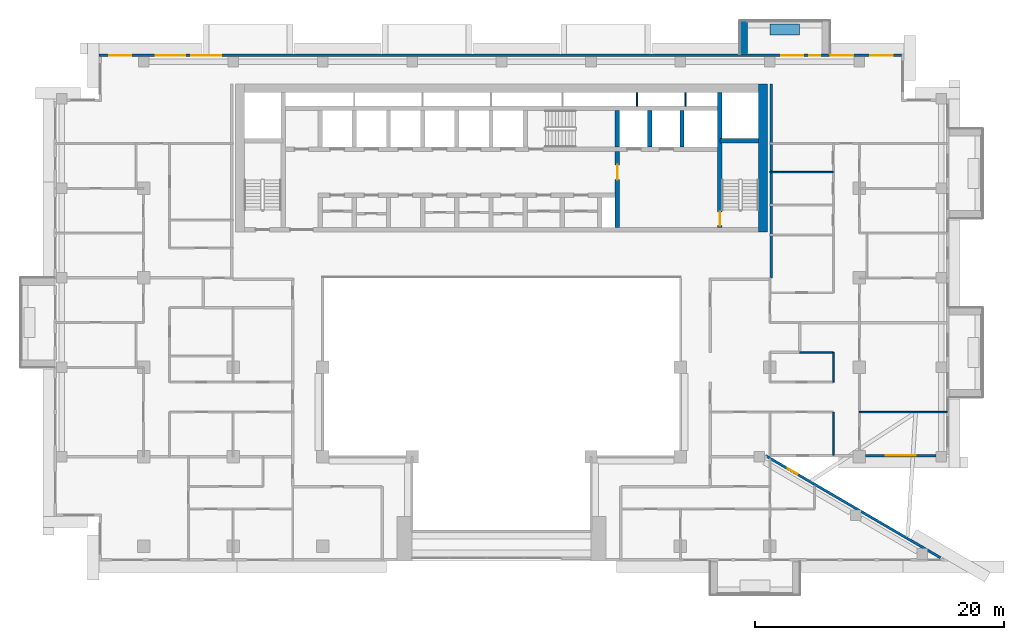
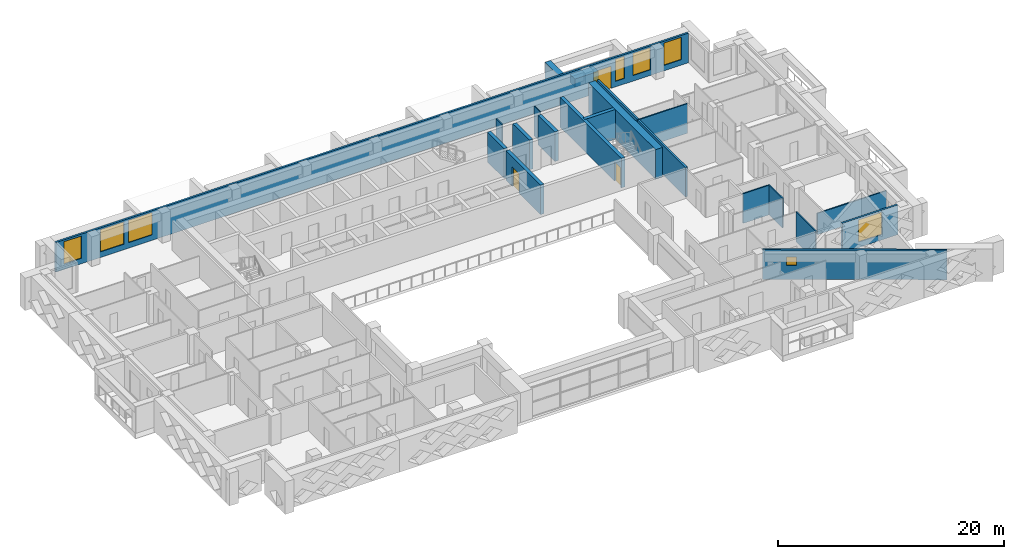
# One storey, part 11 of 20: 20 walls, 8 windows, 3 doors, 11 openings.
"""IFC4 building model written with IfcOpenShell, lengths in metres."""

from ifc_helpers import new_model, si_unit, direction, frame, frame_2d, origin, place, context, subcontext, project, spatial, rectangle, extrude, material, layer, layer_set, type_object, element, fill, save


model = new_model("IFC4")

# Units and contexts
model_context = context("Model", 3, precision=1e-05, world=origin(), true_north=direction((0.0, 1.0)))
body_context = subcontext(model_context, "Body", "Model", "MODEL_VIEW")
ifc_project = project(units=[si_unit("LENGTHUNIT", "METRE"), si_unit("AREAUNIT", "SQUARE_METRE"), si_unit("VOLUMEUNIT", "CUBIC_METRE"), si_unit("PLANEANGLEUNIT", "RADIAN"), si_unit("MASSUNIT", "GRAM", prefix="KILO")], contexts=[model_context])

# Site, building, storey
site_placement = place(None, origin())
site = spatial("IfcSite", under=ifc_project, at=site_placement, CompositionType="ELEMENT")
building_placement = place(site_placement, origin())
building = spatial("IfcBuilding", under=site, at=building_placement, Name="Saffron Iwan Residences", CompositionType="ELEMENT")
storey_placement = place(building_placement, frame((0.0, 0.0, 143.0)))
storey = spatial("IfcBuildingStorey", under=building, at=storey_placement, Name="L37", CompositionType="ELEMENT", Elevation=143.0)

# Walls
ifc_material_1 = material(Name="Concrete C50/60 white painted", Category="concrete")
ifc_layer_1 = layer(ifc_material_1, 0.60009765625)
ifc_layer_set_1 = layer_set([ifc_layer_1], Name="Concrete C50/60 white painted")
wall_type_1 = type_object("IfcWallType", Name="BALCONY FIN 600", PredefinedType="SOLIDWALL", material=ifc_layer_set_1)
wall_1_placement = place(storey_placement, frame((69.89990234375, 80.449951171875, 0.0), z_axis=(0.0, 0.0, 1.0), x_axis=(0.0, 1.0, 0.0)))
element("IfcWall", 1, at=wall_1_placement, inside=storey, type_object=wall_type_1, Name="Balcony fin L37 F5-0b", PredefinedType="SOLIDWALL", context=body_context, shape_type="SweptSolid", body=[
    extrude(rectangle(XDim=2.650146484375, YDim=0.60009765625, at=frame_2d((1.3251953125, 0.0))), origin(), (0.0, 0.0, 1.0), 2.85009765625),
])
ifc_material_2 = material(Name="Concrete C35/45 white painted", Category="concrete")
ifc_layer_2 = layer(ifc_material_2, 0.14990234375)
ifc_layer_set_2 = layer_set([ifc_layer_2], Name="Concrete C35/45 white painted")
wall_type_2 = type_object("IfcWallType", Name="BALCONY PLANTER", PredefinedType="SOLIDWALL", material=ifc_layer_set_2)
wall_2_placement = place(storey_placement, frame((74.39990234375, 82.375, 0.0), z_axis=(0.0, 0.0, 1.0), x_axis=(-1.0, 0.0, 0.0)))
element("IfcWall", 2, at=wall_2_placement, inside=storey, type_object=wall_type_2, Name="PLANTER L37 F5-0", PredefinedType="SOLIDWALL", context=body_context, shape_type="SweptSolid", body=[
    extrude(rectangle(XDim=2.39990234375, YDim=0.89990234375, at=frame_2d((1.199951171875, 0.0))), origin(), (0.0, 0.0, 1.0), 0.89990234375),
])

# Wall, opening, window
ifc_material_3 = material(Name="Concrete C40/50", Category="concrete")
ifc_layer_3 = layer(ifc_material_3, 0.199951171875)
ifc_layer_set_3 = layer_set([ifc_layer_3], Name="Concrete C40/50")
wall_type_3 = type_object("IfcWallType", Name="EXTERNAL WALL 200", PredefinedType="SOLIDWALL", material=ifc_layer_set_3)
wall_3_placement = place(storey_placement, frame((85.71923828125, 39.88134765625, 0.0), z_axis=(0.0, 0.0, 1.0), x_axis=(-0.86377618652, 0.503875678716, 0.0)))
wall_3 = element("IfcWall", 3, at=wall_3_placement, inside=storey, type_object=wall_type_3, Name="External wall L37 F0.0", PredefinedType="SOLIDWALL", context=body_context, shape_type="SweptSolid", body=[
    extrude(rectangle(XDim=16.31103515625, YDim=0.199951171875, at=frame_2d((8.155517578125, 0.0))), origin(), (0.0, 0.0, 1.0), 3.199951171875),
])
opening_1_placement = place(wall_3_placement, frame((13.32568359375, 0.0, 1.5)))
opening_1 = element("IfcOpeningElement", 4, at=opening_1_placement, cuts=wall_3, Name="Opening W6", PredefinedType="OPENING", context=body_context, shape_type="SweptSolid", body=[
    extrude(rectangle(XDim=0.89990234375, YDim=0.89990234375, at=frame_2d((0.449951171875, 0.449951171875))), frame((0.0, 0.10986328125, 0.0), z_axis=(0.0, -1.0, 0.0), x_axis=(1.0, 0.0, 0.0)), (0.0, 0.0, 1.0), 0.219970703125),
])
ifc_material_4 = material(Name="Clear glass, laminated double glazed", Category="glass")
window_type_1 = type_object("IfcWindowType", Name="WINDOW 900 x 900 BATH", PartitioningType="SINGLE_PANEL", PredefinedType="WINDOW", material=ifc_material_4)
window_1_placement = place(opening_1_placement, origin())
window_1 = element("IfcWindow", 5, at=window_1_placement, inside=storey, type_object=window_type_1, Name="Window L37 F0.0", OverallHeight=0.89990234375, OverallWidth=0.89990234375, PartitioningType="SINGLE_PANEL", PredefinedType="WINDOW", context=body_context, shape_type="SweptSolid", body=[
    extrude(rectangle(XDim=0.89990234375, YDim=0.89990234375, at=frame_2d((0.449951171875, 0.449951171875))), frame((0.0, 0.030029296875, 0.0), z_axis=(0.0, -1.0, 0.0), x_axis=(1.0, 0.0, 0.0)), (0.0, 0.0, 1.0), 0.06005859375),
])
fill(opening_1, window_1)

wall_4_placement = place(storey_placement, frame((79.699951171875, 48.10009765625, 0.0), z_axis=(0.0, 0.0, 1.0), x_axis=(1.0, 0.0, 0.0)))
wall_4 = element("IfcWall", 6, at=wall_4_placement, inside=storey, type_object=wall_type_3, Name="External wall L37 F1.1", PredefinedType="SOLIDWALL", context=body_context, shape_type="SweptSolid", body=[
    extrude(rectangle(XDim=5.675048828125, YDim=0.199951171875, at=frame_2d((2.83740234375, 0.0))), origin(), (0.0, 0.0, 1.0), 3.199951171875),
])
opening_2_placement = place(wall_4_placement, frame((1.637451171875, 0.0, 0.60009765625)))
opening_2 = element("IfcOpeningElement", 7, at=opening_2_placement, cuts=wall_4, Name="Opening W1", PredefinedType="OPENING", context=body_context, shape_type="SweptSolid", body=[
    extrude(rectangle(XDim=2.39990234375, YDim=2.39990234375, at=frame_2d((1.199951171875, 1.199951171875))), frame((0.0, 0.10986328125, 0.0), z_axis=(0.0, -1.0, 0.0), x_axis=(1.0, 0.0, 0.0)), (0.0, 0.0, 1.0), 0.219970703125),
])
window_type_2 = type_object("IfcWindowType", Name="WINDOW 2400 x 2400", PartitioningType="DOUBLE_PANEL_VERTICAL", PredefinedType="WINDOW", material=ifc_material_4)
window_2_placement = place(opening_2_placement, origin())
window_2 = element("IfcWindow", 8, at=window_2_placement, inside=storey, type_object=window_type_2, Name="Window L37 F1.0", OverallHeight=2.39990234375, OverallWidth=2.39990234375, PartitioningType="DOUBLE_PANEL_VERTICAL", PredefinedType="WINDOW", context=body_context, shape_type="SweptSolid", body=[
    extrude(rectangle(XDim=2.39990234375, YDim=2.39990234375, at=frame_2d((1.199951171875, 1.199951171875))), frame((0.0, 0.030029296875, 0.0), z_axis=(0.0, -1.0, 0.0), x_axis=(1.0, 0.0, 0.0)), (0.0, 0.0, 1.0), 0.06005859375),
])
fill(opening_2, window_2)

# Wall, openings, door, windows
wall_5_placement = place(storey_placement, frame((82.60009765625, 80.300048828125, 0.0), z_axis=(0.0, 0.0, 1.0), x_axis=(-1.0, 0.0, 0.0)))
wall_5 = element("IfcWall", 9, at=wall_5_placement, inside=storey, type_object=wall_type_3, Name="External wall L37 F5.0", PredefinedType="SOLIDWALL", context=body_context, shape_type="SweptSolid", body=[
    extrude(rectangle(XDim=64.60009765625, YDim=0.199951171875, at=frame_2d((32.300048828125, 0.0))), origin(), (0.0, 0.0, 1.0), 3.199951171875),
])
opening_3_placement = place(wall_5_placement, frame((7.89990234375, 0.0, 0.0)))
opening_3 = element("IfcOpeningElement", 10, at=opening_3_placement, cuts=wall_5, Name="Opening BD1", PredefinedType="OPENING", context=body_context, shape_type="SweptSolid", body=[
    extrude(rectangle(XDim=1.800048828125, YDim=2.39990234375, at=frame_2d((0.89990234375, 1.199951171875))), frame((0.0, 0.10986328125, 0.0), z_axis=(0.0, -1.0, 0.0), x_axis=(1.0, 0.0, 0.0)), (0.0, 0.0, 1.0), 0.219970703125),
])
opening_4_placement = place(wall_5_placement, frame((54.75830078125, 0.0, 0.60009765625)))
opening_4 = element("IfcOpeningElement", 11, at=opening_4_placement, cuts=wall_5, Name="Opening W1", PredefinedType="OPENING", context=body_context, shape_type="SweptSolid", body=[
    extrude(rectangle(XDim=2.39990234375, YDim=2.39990234375, at=frame_2d((1.199951171875, 1.199951171875))), frame((0.0, 0.10986328125, 0.0), z_axis=(0.0, -1.0, 0.0), x_axis=(1.0, 0.0, 0.0)), (0.0, 0.0, 1.0), 0.219970703125),
])
opening_5_placement = place(wall_5_placement, frame((57.6416015625, 0.0, 0.60009765625)))
opening_5 = element("IfcOpeningElement", 12, at=opening_5_placement, cuts=wall_5, Name="Opening W1", PredefinedType="OPENING", context=body_context, shape_type="SweptSolid", body=[
    extrude(rectangle(XDim=2.39990234375, YDim=2.39990234375, at=frame_2d((1.199951171875, 1.199951171875))), frame((0.0, 0.10986328125, 0.0), z_axis=(0.0, -1.0, 0.0), x_axis=(1.0, 0.0, 0.0)), (0.0, 0.0, 1.0), 0.219970703125),
])
opening_6_placement = place(wall_5_placement, frame((61.987548828125, 0.0, 0.60009765625)))
opening_6 = element("IfcOpeningElement", 13, at=opening_6_placement, cuts=wall_5, Name="Opening W8", PredefinedType="OPENING", context=body_context, shape_type="SweptSolid", body=[
    extrude(rectangle(XDim=1.800048828125, YDim=2.39990234375, at=frame_2d((0.89990234375, 1.199951171875))), frame((0.0, 0.10986328125, 0.0), z_axis=(0.0, -1.0, 0.0), x_axis=(1.0, 0.0, 0.0)), (0.0, 0.0, 1.0), 0.219970703125),
])
opening_7_placement = place(wall_5_placement, frame((0.71240234375, 0.0, 0.60009765625)))
opening_7 = element("IfcOpeningElement", 14, at=opening_7_placement, cuts=wall_5, Name="Opening W8", PredefinedType="OPENING", context=body_context, shape_type="SweptSolid", body=[
    extrude(rectangle(XDim=1.800048828125, YDim=2.39990234375, at=frame_2d((0.89990234375, 1.199951171875))), frame((0.0, 0.10986328125, 0.0), z_axis=(0.0, -1.0, 0.0), x_axis=(1.0, 0.0, 0.0)), (0.0, 0.0, 1.0), 0.219970703125),
])
opening_8_placement = place(wall_5_placement, frame((3.887451171875, 0.0, 0.60009765625)))
opening_8 = element("IfcOpeningElement", 15, at=opening_8_placement, cuts=wall_5, Name="Opening W8", PredefinedType="OPENING", context=body_context, shape_type="SweptSolid", body=[
    extrude(rectangle(XDim=1.800048828125, YDim=2.39990234375, at=frame_2d((0.89990234375, 1.199951171875))), frame((0.0, 0.10986328125, 0.0), z_axis=(0.0, -1.0, 0.0), x_axis=(1.0, 0.0, 0.0)), (0.0, 0.0, 1.0), 0.219970703125),
])
opening_9_placement = place(wall_5_placement, frame((6.550048828125, 0.0, 0.60009765625)))
opening_9 = element("IfcOpeningElement", 16, at=opening_9_placement, cuts=wall_5, Name="Opening W10", PredefinedType="OPENING", context=body_context, shape_type="SweptSolid", body=[
    extrude(rectangle(XDim=0.89990234375, YDim=2.39990234375, at=frame_2d((0.449951171875, 1.199951171875))), frame((0.0, 0.10986328125, 0.0), z_axis=(0.0, -1.0, 0.0), x_axis=(1.0, 0.0, 0.0)), (0.0, 0.0, 1.0), 0.219970703125),
])
door_type_1 = type_object("IfcDoorType", Name="BALCONY DOOR 1800 x 2400", OperationType="DOUBLE_DOOR_SLIDING", PredefinedType="DOOR", material=ifc_material_4)
door_1_placement = place(opening_3_placement, origin())
door_1 = element("IfcDoor", 17, at=door_1_placement, inside=storey, type_object=door_type_1, Name="Balcony door L37 F5.0", OperationType="DOUBLE_DOOR_SLIDING", OverallHeight=2.39990234375, OverallWidth=1.800048828125, PredefinedType="DOOR", context=body_context, shape_type="SweptSolid", body=[
    extrude(rectangle(XDim=1.800048828125, YDim=2.39990234375, at=frame_2d((0.89990234375, 1.199951171875))), frame((0.0, 0.02490234375, 0.0), z_axis=(0.0, -1.0, 0.0), x_axis=(1.0, 0.0, 0.0)), (0.0, 0.0, 1.0), 0.050048828125),
])
fill(opening_3, door_1)
window_type_3 = type_object("IfcWindowType", Name="WINDOW 1800 x 2400", PartitioningType="DOUBLE_PANEL_VERTICAL", PredefinedType="WINDOW", material=ifc_material_4)
window_3_placement = place(opening_6_placement, origin())
window_3 = element("IfcWindow", 18, at=window_3_placement, inside=storey, type_object=window_type_3, Name="Window L37 F5.3", OverallHeight=2.39990234375, OverallWidth=1.800048828125, PartitioningType="DOUBLE_PANEL_VERTICAL", PredefinedType="WINDOW", context=body_context, shape_type="SweptSolid", body=[
    extrude(rectangle(XDim=1.800048828125, YDim=2.39990234375, at=frame_2d((0.89990234375, 1.199951171875))), frame((0.0, 0.030029296875, 0.0), z_axis=(0.0, -1.0, 0.0), x_axis=(1.0, 0.0, 0.0)), (0.0, 0.0, 1.0), 0.06005859375),
])
fill(opening_6, window_3)
window_4_placement = place(opening_7_placement, origin())
window_4 = element("IfcWindow", 19, at=window_4_placement, inside=storey, type_object=window_type_3, Name="Window L37 F5.4", OverallHeight=2.39990234375, OverallWidth=1.800048828125, PartitioningType="DOUBLE_PANEL_VERTICAL", PredefinedType="WINDOW", context=body_context, shape_type="SweptSolid", body=[
    extrude(rectangle(XDim=1.800048828125, YDim=2.39990234375, at=frame_2d((0.89990234375, 1.199951171875))), frame((0.0, 0.030029296875, 0.0), z_axis=(0.0, -1.0, 0.0), x_axis=(1.0, 0.0, 0.0)), (0.0, 0.0, 1.0), 0.06005859375),
])
fill(opening_7, window_4)
window_5_placement = place(opening_8_placement, origin())
window_5 = element("IfcWindow", 20, at=window_5_placement, inside=storey, type_object=window_type_3, Name="Window L37 F5.5", OverallHeight=2.39990234375, OverallWidth=1.800048828125, PartitioningType="DOUBLE_PANEL_VERTICAL", PredefinedType="WINDOW", context=body_context, shape_type="SweptSolid", body=[
    extrude(rectangle(XDim=1.800048828125, YDim=2.39990234375, at=frame_2d((0.89990234375, 1.199951171875))), frame((0.0, 0.030029296875, 0.0), z_axis=(0.0, -1.0, 0.0), x_axis=(1.0, 0.0, 0.0)), (0.0, 0.0, 1.0), 0.06005859375),
])
fill(opening_8, window_5)
window_6_placement = place(opening_4_placement, origin())
window_6 = element("IfcWindow", 21, at=window_6_placement, inside=storey, type_object=window_type_2, Name="Window L37 F5.1", OverallHeight=2.39990234375, OverallWidth=2.39990234375, PartitioningType="DOUBLE_PANEL_VERTICAL", PredefinedType="WINDOW", context=body_context, shape_type="SweptSolid", body=[
    extrude(rectangle(XDim=2.39990234375, YDim=2.39990234375, at=frame_2d((1.199951171875, 1.199951171875))), frame((0.0, 0.030029296875, 0.0), z_axis=(0.0, -1.0, 0.0), x_axis=(1.0, 0.0, 0.0)), (0.0, 0.0, 1.0), 0.06005859375),
])
fill(opening_4, window_6)
window_7_placement = place(opening_5_placement, origin())
window_7 = element("IfcWindow", 22, at=window_7_placement, inside=storey, type_object=window_type_2, Name="Window L37 F5.2", OverallHeight=2.39990234375, OverallWidth=2.39990234375, PartitioningType="DOUBLE_PANEL_VERTICAL", PredefinedType="WINDOW", context=body_context, shape_type="SweptSolid", body=[
    extrude(rectangle(XDim=2.39990234375, YDim=2.39990234375, at=frame_2d((1.199951171875, 1.199951171875))), frame((0.0, 0.030029296875, 0.0), z_axis=(0.0, -1.0, 0.0), x_axis=(1.0, 0.0, 0.0)), (0.0, 0.0, 1.0), 0.06005859375),
])
fill(opening_5, window_7)
window_type_4 = type_object("IfcWindowType", Name="WINDOW 900 x 2400", PartitioningType="SINGLE_PANEL", PredefinedType="WINDOW", material=ifc_material_4)
window_8_placement = place(opening_9_placement, origin())
window_8 = element("IfcWindow", 23, at=window_8_placement, inside=storey, type_object=window_type_4, Name="Window L37 F5.6", OverallHeight=2.39990234375, OverallWidth=0.89990234375, PartitioningType="SINGLE_PANEL", PredefinedType="WINDOW", context=body_context, shape_type="SweptSolid", body=[
    extrude(rectangle(XDim=0.89990234375, YDim=2.39990234375, at=frame_2d((0.449951171875, 1.199951171875))), frame((0.0, 0.030029296875, 0.0), z_axis=(0.0, -1.0, 0.0), x_axis=(1.0, 0.0, 0.0)), (0.0, 0.0, 1.0), 0.06005859375),
])
fill(opening_9, window_8)

# Walls
ifc_material_5 = material(Name="Gypsum board partition")
ifc_layer_4 = layer(ifc_material_5, 0.1201171875)
ifc_layer_set_4 = layer_set([ifc_layer_4], Name="Gypsum board partition")
wall_type_4 = type_object("IfcWallType", Name="Flat partition 120", PredefinedType="PARTITIONING", material=ifc_layer_set_4)
wall_6_placement = place(storey_placement, frame((79.199951171875, 51.60009765625, 0.0), z_axis=(0.0, 0.0, 1.0), x_axis=(1.0, 0.0, 0.0)))
element("IfcWall", 24, at=wall_6_placement, inside=storey, type_object=wall_type_4, Name="W-L37-PART-h51.6-79.2", PredefinedType="PARTITIONING", context=body_context, shape_type="SweptSolid", body=[
    extrude(rectangle(XDim=7.074951171875, YDim=0.1201171875, at=frame_2d((3.53759765625, 0.0))), origin(), (0.0, 0.0, 1.0), 2.300048828125),
])
wall_7_placement = place(storey_placement, frame((74.39990234375, 56.39990234375, 0.0), z_axis=(0.0, 0.0, 1.0), x_axis=(1.0, 0.0, 0.0)))
element("IfcWall", 25, at=wall_7_placement, inside=storey, type_object=wall_type_4, Name="W-L37-PART-h56.4-74.4", PredefinedType="PARTITIONING", context=body_context, shape_type="SweptSolid", body=[
    extrude(rectangle(XDim=2.7001953125, YDim=0.1201171875, at=frame_2d((1.35009765625, 0.0))), origin(), (0.0, 0.0, 1.0), 3.199951171875),
])
wall_8_placement = place(storey_placement, frame((72.0, 70.89990234375, 0.0), z_axis=(0.0, 0.0, 1.0), x_axis=(1.0, 0.0, 0.0)))
element("IfcWall", 26, at=wall_8_placement, inside=storey, type_object=wall_type_4, Name="W-L37-PART-h70.9-72", PredefinedType="PARTITIONING", context=body_context, shape_type="SweptSolid", body=[
    extrude(rectangle(XDim=5.10009765625, YDim=0.1201171875, at=frame_2d((2.550048828125, 0.0))), origin(), (0.0, 0.0, 1.0), 3.199951171875),
])
wall_9_placement = place(storey_placement, frame((77.10009765625, 48.125, 0.0), z_axis=(0.0, 0.0, 1.0), x_axis=(0.0, 1.0, 0.0)))
element("IfcWall", 27, at=wall_9_placement, inside=storey, type_object=wall_type_4, Name="W-L37-PART-v77.1-48.125", PredefinedType="PARTITIONING", context=body_context, shape_type="SweptSolid", body=[
    extrude(rectangle(XDim=3.47509765625, YDim=0.1201171875, at=frame_2d((1.737548828125, 0.0))), origin(), (0.0, 0.0, 1.0), 3.199951171875),
])
wall_10_placement = place(storey_placement, frame((77.10009765625, 54.0, 0.0), z_axis=(0.0, 0.0, 1.0), x_axis=(0.0, 1.0, 0.0)))
element("IfcWall", 28, at=wall_10_placement, inside=storey, type_object=wall_type_4, Name="W-L37-PART-v77.1-54", PredefinedType="PARTITIONING", context=body_context, shape_type="SweptSolid", body=[
    extrude(rectangle(XDim=2.39990234375, YDim=0.1201171875, at=frame_2d((1.199951171875, 0.0))), origin(), (0.0, 0.0, 1.0), 3.199951171875),
])
ifc_material_6 = material(Name="Fire-rated gypsum board wall")
ifc_layer_5 = layer(ifc_material_6, 0.199951171875)
ifc_layer_set_5 = layer_set([ifc_layer_5], Name="Fire-rated gypsum board wall")
wall_type_5 = type_object("IfcWallType", Name="Gallery wall 200", PredefinedType="SOLIDWALL", material=ifc_layer_set_5)
wall_11_placement = place(storey_placement, frame((72.10009765625, 62.39990234375, 0.0), z_axis=(0.0, 0.0, 1.0), x_axis=(0.0, 1.0, 0.0)))
element("IfcWall", 29, at=wall_11_placement, inside=storey, type_object=wall_type_5, Name="W-L37-CORR-v72-62.4", PredefinedType="SOLIDWALL", context=body_context, shape_type="SweptSolid", body=[
    extrude(rectangle(XDim=15.60009765625, YDim=0.199951171875, at=frame_2d((7.800048828125, 0.0))), origin(), (0.0, 0.0, 1.0), 3.199951171875),
])
ifc_material_7 = material(Name="Fire-rated plasterboard partition")
ifc_layer_6 = layer(ifc_material_7, 0.10009765625)
ifc_layer_set_6 = layer_set([ifc_layer_6], Name="Fire-rated plasterboard partition")
wall_type_6 = type_object("IfcWallType", Name="Riser partition 100", PredefinedType="PARTITIONING", material=ifc_layer_set_6)
for number, where, z_axis, x_axis, name in (
    (30, (61.300048828125, 76.22509765625, 0.0), (0.0, 0.0, 1.0), (0.0, 1.0, 0.0), "Core partition P12"),
    (31, (65.199951171875, 76.22509765625, 0.0), (0.0, 0.0, 1.0), (0.0, 1.0, 0.0), "Core partition P13"),
):
    element("IfcWall", number, at=place(storey_placement, frame(where, z_axis=z_axis, x_axis=x_axis)), inside=storey, type_object=wall_type_6, Name=name, PredefinedType="PARTITIONING", context=body_context, shape_type="SweptSolid", body=[
        extrude(rectangle(XDim=1.074951171875, YDim=0.10009765625, at=frame_2d((0.53759765625, 0.0))), origin(), (0.0, 0.0, 1.0), 3.199951171875),
    ])
ifc_material_8 = material(Name="Concrete C50/60", Category="concrete")
ifc_layer_7 = layer(ifc_material_8, 0.35009765625)
ifc_layer_set_7 = layer_set([ifc_layer_7], Name="Concrete C50/60")
wall_type_7 = type_object("IfcWallType", Name="WALL CORE 350 C50/60 3200 HIGH", PredefinedType="SHEAR", material=ifc_layer_set_7)
wall_12_placement = place(storey_placement, frame((67.97509765625, 73.425048828125, 0.0), z_axis=(0.0, 0.0, 1.0), x_axis=(1.0, 0.0, 0.0)))
element("IfcWall", 32, at=wall_12_placement, inside=storey, type_object=wall_type_7, Name="Core wall", PredefinedType="SHEAR", context=body_context, shape_type="SweptSolid", body=[
    extrude(rectangle(XDim=3.125, YDim=0.35009765625, at=frame_2d((1.5625, 0.0))), origin(), (0.0, 0.0, 1.0), 3.199951171875),
])

# Wall, opening, door
wall_13_placement = place(storey_placement, frame((67.97509765625, 66.449951171875, 0.0), z_axis=(0.0, 0.0, 1.0), x_axis=(0.0, 1.0, 0.0)))
wall_13 = element("IfcWall", 33, at=wall_13_placement, inside=storey, type_object=wall_type_7, Name="Core wall", PredefinedType="SHEAR", context=body_context, shape_type="SweptSolid", body=[
    extrude(rectangle(XDim=10.85009765625, YDim=0.35009765625, at=frame_2d((5.425048828125, 0.0))), origin(), (0.0, 0.0, 1.0), 3.199951171875),
])
opening_10_placement = place(wall_13_placement, frame((0.14990234375, 0.0, 0.0)))
opening_10 = element("IfcOpeningElement", 34, at=opening_10_placement, cuts=wall_13, Name="Opening SD", PredefinedType="OPENING", context=body_context, shape_type="SweptSolid", body=[
    extrude(rectangle(XDim=1.10009765625, YDim=2.10009765625, at=frame_2d((0.550048828125, 1.050048828125))), frame((0.0, 0.18505859375, 0.0), z_axis=(0.0, -1.0, 0.0), x_axis=(1.0, 0.0, 0.0)), (0.0, 0.0, 1.0), 0.3701171875),
])
ifc_material_9 = material(Name="Steel fire door", Category="steel")
door_type_2 = type_object("IfcDoorType", Name="Stair door 1100", OperationType="NOTDEFINED", PredefinedType="DOOR", material=ifc_material_9)
door_2_placement = place(opening_10_placement, origin())
door_2 = element("IfcDoor", 35, at=door_2_placement, inside=storey, type_object=door_type_2, Name="Stair door ST-E", OperationType="SINGLE_SWING_LEFT", OverallHeight=2.10009765625, OverallWidth=1.10009765625, PredefinedType="DOOR", context=body_context, shape_type="SweptSolid", body=[
    extrude(rectangle(XDim=1.10009765625, YDim=2.10009765625, at=frame_2d((0.550048828125, 1.050048828125))), frame((0.0, 0.02490234375, 0.0), z_axis=(0.0, -1.0, 0.0), x_axis=(1.0, 0.0, 0.0)), (0.0, 0.0, 1.0), 0.050048828125),
])
fill(opening_10, door_2)

wall_14_placement = place(storey_placement, frame((59.72509765625, 66.449951171875, 0.0), z_axis=(0.0, 0.0, 1.0), x_axis=(0.0, 1.0, 0.0)))
wall_14 = element("IfcWall", 36, at=wall_14_placement, inside=storey, type_object=wall_type_7, Name="Core wall", PredefinedType="SHEAR", context=body_context, shape_type="SweptSolid", body=[
    extrude(rectangle(XDim=6.125, YDim=0.35009765625, at=frame_2d((3.0625, 0.0))), origin(), (0.0, 0.0, 1.0), 3.199951171875),
])
opening_11_placement = place(wall_14_placement, frame((3.85009765625, 0.0, 0.0)))
opening_11 = element("IfcOpeningElement", 37, at=opening_11_placement, cuts=wall_14, Name="Opening FD", PredefinedType="OPENING", context=body_context, shape_type="SweptSolid", body=[
    extrude(rectangle(XDim=1.199951171875, YDim=2.10009765625, at=frame_2d((0.60009765625, 1.050048828125))), frame((0.0, 0.18505859375, 0.0), z_axis=(0.0, -1.0, 0.0), x_axis=(1.0, 0.0, 0.0)), (0.0, 0.0, 1.0), 0.3701171875),
])
door_type_3 = type_object("IfcDoorType", Name="Firefighting lobby door 1200", OperationType="NOTDEFINED", PredefinedType="DOOR", material=ifc_material_9)
door_3_placement = place(opening_11_placement, origin())
door_3 = element("IfcDoor", 38, at=door_3_placement, inside=storey, type_object=door_type_3, Name="Firefighting lobby door", OperationType="SINGLE_SWING_LEFT", OverallHeight=2.10009765625, OverallWidth=1.199951171875, PredefinedType="DOOR", context=body_context, shape_type="SweptSolid", body=[
    extrude(rectangle(XDim=1.199951171875, YDim=2.10009765625, at=frame_2d((0.60009765625, 1.050048828125))), frame((0.0, 0.02490234375, 0.0), z_axis=(0.0, -1.0, 0.0), x_axis=(1.0, 0.0, 0.0)), (0.0, 0.0, 1.0), 0.050048828125),
])
fill(opening_11, door_3)

# Walls
for number, where, z_axis, x_axis, name in (
    (39, (59.72509765625, 72.925048828125, 0.0), (0.0, 0.0, 1.0), (0.0, 1.0, 0.0), "Core wall"),
    (40, (62.324951171875, 72.925048828125, 0.0), (0.0, 0.0, 1.0), (0.0, 1.0, 0.0), "Core wall"),
    (41, (64.925048828125, 72.925048828125, 0.0), (0.0, 0.0, 1.0), (0.0, 1.0, 0.0), "Core wall"),
):
    element("IfcWall", number, at=place(storey_placement, frame(where, z_axis=z_axis, x_axis=x_axis)), inside=storey, type_object=wall_type_7, Name=name, PredefinedType="SHEAR", context=body_context, shape_type="SweptSolid", body=[
        extrude(rectangle(XDim=2.949951171875, YDim=0.35009765625, at=frame_2d((1.47509765625, 0.0))), origin(), (0.0, 0.0, 1.0), 3.199951171875),
    ])
ifc_layer_8 = layer(ifc_material_8, 0.699951171875)
ifc_layer_set_8 = layer_set([ifc_layer_8], Name="Concrete C50/60")
wall_type_8 = type_object("IfcWallType", Name="WALL CORE 700 C50/60 3200 HIGH", PredefinedType="SHEAR", material=ifc_layer_set_8)
wall_15_placement = place(storey_placement, frame((71.449951171875, 66.10009765625, 0.0), z_axis=(0.0, 0.0, 1.0), x_axis=(0.0, 1.0, 0.0)))
element("IfcWall", 42, at=wall_15_placement, inside=storey, type_object=wall_type_8, Name="Core wall", PredefinedType="SHEAR", context=body_context, shape_type="SweptSolid", body=[
    extrude(rectangle(XDim=11.89990234375, YDim=0.699951171875, at=frame_2d((5.949951171875, 0.0))), origin(), (0.0, 0.0, 1.0), 3.199951171875),
])

save(model, "model.ifc")
